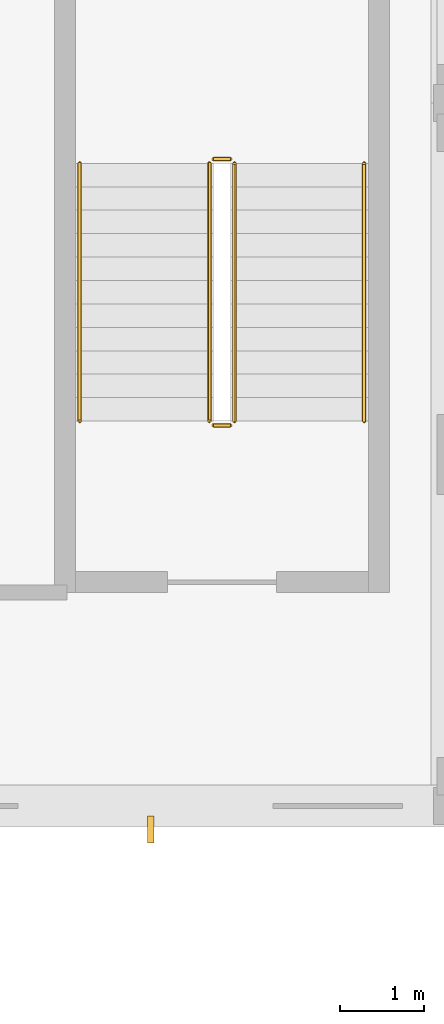
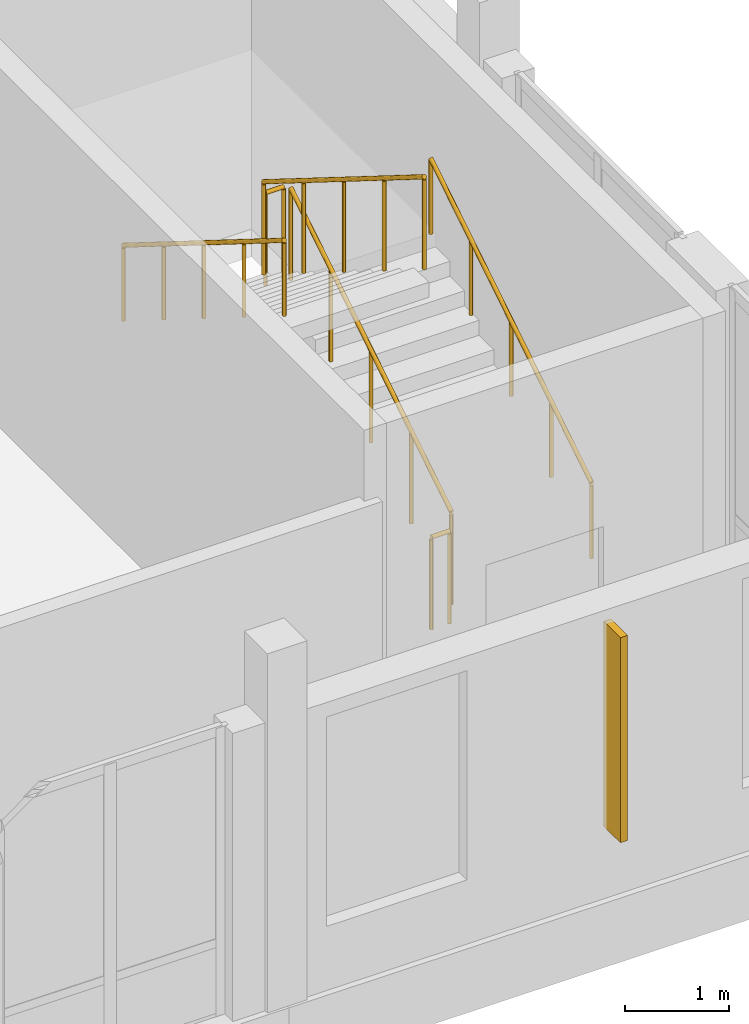
# One storey, part 95 of 99: 6 railings, 1 shading device.
"""IFC4 building model written with IfcOpenShell, lengths in metres."""

from ifc_helpers import new_model, si_unit, direction, frame, origin, origin_2d, place, context, subcontext, project, spatial, rectangle, circle, extrude, material, type_object, element, save


model = new_model("IFC4")

# Units and contexts
model_context = context("Model", 3, precision=1e-05, world=origin(), true_north=direction((0.0, 1.0)))
body_context = subcontext(model_context, "Body", "Model", "MODEL_VIEW")
ifc_project = project(units=[si_unit("LENGTHUNIT", "METRE"), si_unit("AREAUNIT", "SQUARE_METRE"), si_unit("VOLUMEUNIT", "CUBIC_METRE"), si_unit("PLANEANGLEUNIT", "RADIAN"), si_unit("MASSUNIT", "GRAM", prefix="KILO")], contexts=[model_context])

# Site, building, storey
site_placement = place(None, origin())
site = spatial("IfcSite", under=ifc_project, at=site_placement, CompositionType="ELEMENT")
building_placement = place(site_placement, origin())
building = spatial("IfcBuilding", under=site, at=building_placement, Name="Kahlenmark Community Centre", CompositionType="ELEMENT")
storey_placement = place(building_placement, frame((0.0, 0.0, 5.39990234375)))
storey = spatial("IfcBuildingStorey", under=building, at=storey_placement, Name="L01", CompositionType="ELEMENT", Elevation=5.39990234375)

# Railings
ifc_material_1 = material(Name="Brushed stainless steel 1.4301 handrail", Category="steel")
railing_type_1 = type_object("IfcRailingType", Name="RLT-HR-900", PredefinedType="HANDRAIL", material=ifc_material_1)
railing_1_placement = place(storey_placement, frame((85.75, 55.39990234375, 0.175048828125)))
element("IfcRailing", 1, at=railing_1_placement, inside=storey, type_object=railing_type_1, Name="L01 ST-06 stair handrail 1", PredefinedType="HANDRAIL", context=body_context, shape_type="SweptSolid", body=[
    extrude(circle(Radius=0.02392578125, at=origin_2d()), frame((0.0, 0.0, 0.8759765625), z_axis=(0.0, 0.847998304005, 0.529998940003), x_axis=(-1.0, 0.0, 0.0)), (0.0, 0.0, 1.0), 3.632080078125),
    extrude(circle(Radius=0.02099609375, at=origin_2d()), origin(), (0.0, 0.0, 1.0), 0.851806640625),
    extrude(circle(Radius=0.02099609375, at=origin_2d()), frame((0.0, 0.77001953125, 0.481201171875)), (0.0, 0.0, 1.0), 0.851806640625),
    extrude(circle(Radius=0.02099609375, at=origin_2d()), frame((0.0, 1.5400390625, 0.96240234375)), (0.0, 0.0, 1.0), 0.851806640625),
    extrude(circle(Radius=0.02099609375, at=origin_2d()), frame((0.0, 2.31005859375, 1.44384765625)), (0.0, 0.0, 1.0), 0.851806640625),
    extrude(circle(Radius=0.02099609375, at=origin_2d()), frame((0.0, 3.080078125, 1.925048828125)), (0.0, 0.0, 1.0), 0.851806640625),
])
railing_2_placement = place(storey_placement, frame((82.35009765625, 58.47998046875, 2.275146484375)))
element("IfcRailing", 2, at=railing_2_placement, inside=storey, type_object=railing_type_1, Name="L01 ST-06 stair handrail 2", PredefinedType="HANDRAIL", context=body_context, shape_type="SweptSolid", body=[
    extrude(circle(Radius=0.02392578125, at=origin_2d()), frame((0.0, 0.0, 0.8759765625), z_axis=(0.0, -0.847998304005, 0.529998940003), x_axis=(1.0, 0.0, 0.0)), (0.0, 0.0, 1.0), 3.632080078125),
    extrude(circle(Radius=0.02099609375, at=origin_2d()), origin(), (0.0, 0.0, 1.0), 0.851806640625),
    extrude(circle(Radius=0.02099609375, at=origin_2d()), frame((0.0, -0.77001953125, 0.481201171875)), (0.0, 0.0, 1.0), 0.851806640625),
    extrude(circle(Radius=0.02099609375, at=origin_2d()), frame((0.0, -1.5400390625, 0.96240234375)), (0.0, 0.0, 1.0), 0.851806640625),
    extrude(circle(Radius=0.02099609375, at=origin_2d()), frame((0.0, -2.31005859375, 1.44384765625)), (0.0, 0.0, 1.0), 0.851806640625),
    extrude(circle(Radius=0.02099609375, at=origin_2d()), frame((0.0, -3.080078125, 1.925048828125)), (0.0, 0.0, 1.0), 0.851806640625),
])
ifc_material_2 = material(Name="Powder-coated steel stair well guard", Category="steel")
railing_type_2 = type_object("IfcRailingType", Name="RLT-SG-1120", PredefinedType="GUARDRAIL", material=ifc_material_2)
railing_3_placement = place(storey_placement, frame((84.199951171875, 55.39990234375, 0.175048828125)))
element("IfcRailing", 3, at=railing_3_placement, inside=storey, type_object=railing_type_2, Name="L01 ST-06 stair guard 1", PredefinedType="GUARDRAIL", context=body_context, shape_type="SweptSolid", body=[
    extrude(circle(Radius=0.02392578125, at=origin_2d()), frame((0.0, 0.0, 1.076171875), z_axis=(0.0, 0.847998304005, 0.529998940003), x_axis=(-1.0, 0.0, 0.0)), (0.0, 0.0, 1.0), 3.632080078125),
    extrude(circle(Radius=0.02099609375, at=origin_2d()), origin(), (0.0, 0.0, 1.0), 1.052001953125),
    extrude(circle(Radius=0.02099609375, at=origin_2d()), frame((0.0, 0.77001953125, 0.481201171875)), (0.0, 0.0, 1.0), 1.052001953125),
    extrude(circle(Radius=0.02099609375, at=origin_2d()), frame((0.0, 1.5400390625, 0.96240234375)), (0.0, 0.0, 1.0), 1.052001953125),
    extrude(circle(Radius=0.02099609375, at=origin_2d()), frame((0.0, 2.31005859375, 1.44384765625)), (0.0, 0.0, 1.0), 1.052001953125),
    extrude(circle(Radius=0.02099609375, at=origin_2d()), frame((0.0, 3.080078125, 1.925048828125)), (0.0, 0.0, 1.0), 1.052001953125),
])
railing_4_placement = place(storey_placement, frame((84.14990234375, 58.530029296875, 2.10009765625)))
element("IfcRailing", 4, at=railing_4_placement, inside=storey, type_object=railing_type_2, Name="L01 ST-06 stair guard 2", PredefinedType="GUARDRAIL", context=body_context, shape_type="SweptSolid", body=[
    extrude(circle(Radius=0.02392578125, at=origin_2d()), frame((0.0, 0.0, 1.076171875), z_axis=(-1.0, 0.0, 0.0), x_axis=(0.0, -1.0, 0.0)), (0.0, 0.0, 1.0), 0.199951171875),
    extrude(circle(Radius=0.02099609375, at=origin_2d()), origin(), (0.0, 0.0, 1.0), 1.052001953125),
    extrude(circle(Radius=0.02099609375, at=origin_2d()), frame((-0.199951171875, 0.0, 0.0)), (0.0, 0.0, 1.0), 1.052001953125),
])
railing_5_placement = place(storey_placement, frame((83.89990234375, 58.47998046875, 2.275146484375)))
element("IfcRailing", 5, at=railing_5_placement, inside=storey, type_object=railing_type_2, Name="L01 ST-06 stair guard 3", PredefinedType="GUARDRAIL", context=body_context, shape_type="SweptSolid", body=[
    extrude(circle(Radius=0.02392578125, at=origin_2d()), frame((0.0, 0.0, 1.076171875), z_axis=(0.0, -0.847998304005, 0.529998940003), x_axis=(1.0, 0.0, 0.0)), (0.0, 0.0, 1.0), 3.632080078125),
    extrude(circle(Radius=0.02099609375, at=origin_2d()), origin(), (0.0, 0.0, 1.0), 1.052001953125),
    extrude(circle(Radius=0.02099609375, at=origin_2d()), frame((0.0, -0.77001953125, 0.481201171875)), (0.0, 0.0, 1.0), 1.052001953125),
    extrude(circle(Radius=0.02099609375, at=origin_2d()), frame((0.0, -1.5400390625, 0.96240234375)), (0.0, 0.0, 1.0), 1.052001953125),
    extrude(circle(Radius=0.02099609375, at=origin_2d()), frame((0.0, -2.31005859375, 1.44384765625)), (0.0, 0.0, 1.0), 1.052001953125),
    extrude(circle(Radius=0.02099609375, at=origin_2d()), frame((0.0, -3.080078125, 1.925048828125)), (0.0, 0.0, 1.0), 1.052001953125),
])
railing_6_placement = place(storey_placement, frame((84.14990234375, 55.35009765625, 0.0)))
element("IfcRailing", 6, at=railing_6_placement, inside=storey, type_object=railing_type_2, Name="L01 ST-06 stair guard 4", PredefinedType="GUARDRAIL", context=body_context, shape_type="SweptSolid", body=[
    extrude(circle(Radius=0.02392578125, at=origin_2d()), frame((0.0, 0.0, 1.076171875), z_axis=(-1.0, 0.0, 0.0), x_axis=(0.0, -1.0, 0.0)), (0.0, 0.0, 1.0), 0.199951171875),
    extrude(circle(Radius=0.02099609375, at=origin_2d()), origin(), (0.0, 0.0, 1.0), 1.052001953125),
    extrude(circle(Radius=0.02099609375, at=origin_2d()), frame((-0.199951171875, 0.0, 0.0)), (0.0, 0.0, 1.0), 1.052001953125),
])

# Shading device
ifc_material_3 = material(Name="Extruded warm terracotta solar fin", Category="masonry")
shading_device_type = type_object("IfcShadingDeviceType", Name="SDT-FIN-320", PredefinedType="NOTDEFINED", material=ifc_material_3)
shading_device_placement = place(storey_placement, frame((83.199951171875, 50.52001953125, 0.800048828125), z_axis=(0.0, 0.0, 1.0), x_axis=(1.0, 0.0, 0.0)))
element("IfcShadingDevice", 7, at=shading_device_placement, inside=storey, type_object=shading_device_type, Name="Terracotta solar fin 0003", PredefinedType="NOTDEFINED", context=body_context, shape_type="SweptSolid", body=[
    extrude(rectangle(XDim=0.080078125, YDim=0.320068359375, at=origin_2d()), origin(), (0.0, 0.0, 1.0), 2.39990234375),
])

save(model, "model.ifc")
